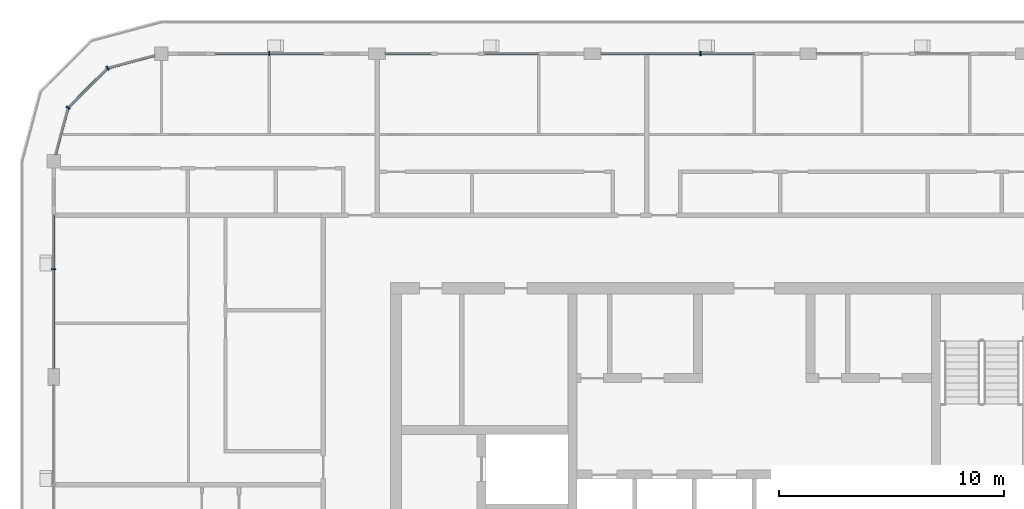
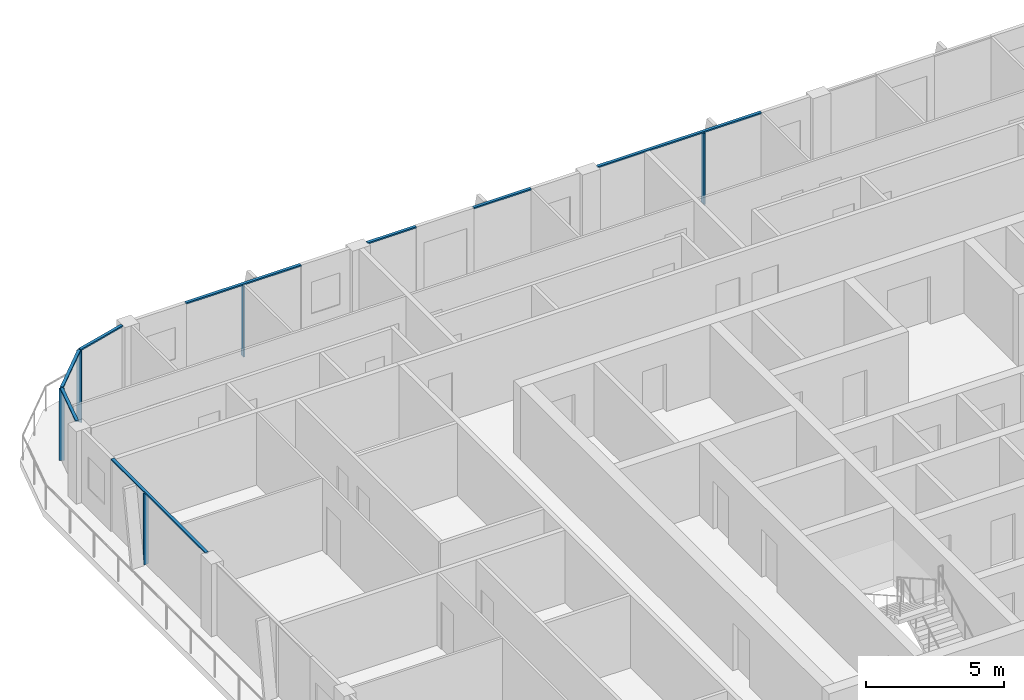
# One storey, part 5 of 22: 13 members, 5 elements without a shape of their own.
"""IFC4 building model written with IfcOpenShell, lengths in metres."""

from ifc_helpers import new_model, si_unit, direction, frame, origin, origin_2d, place, context, subcontext, project, spatial, rectangle, extrude, material, layer, layer_set, material_profile, profile_set, type_object, element, aggregate, save


model = new_model("IFC4")

# Units and contexts
model_context = context("Model", 3, precision=1e-05, world=origin(), true_north=direction((0.0, 1.0)))
body_context = subcontext(model_context, "Body", "Model", "MODEL_VIEW")
ifc_project = project(units=[si_unit("LENGTHUNIT", "METRE"), si_unit("AREAUNIT", "SQUARE_METRE"), si_unit("VOLUMEUNIT", "CUBIC_METRE"), si_unit("PLANEANGLEUNIT", "RADIAN"), si_unit("MASSUNIT", "GRAM", prefix="KILO")], contexts=[model_context])

# Site, building, storey
site_placement = place(None, origin())
site = spatial("IfcSite", under=ifc_project, at=site_placement, CompositionType="ELEMENT")
building_placement = place(site_placement, origin())
building = spatial("IfcBuilding", under=site, at=building_placement, Name="Madar Terraces", CompositionType="ELEMENT")
storey_placement = place(building_placement, frame((0.0, 0.0, 279.10009765625)))
storey = spatial("IfcBuildingStorey", under=building, at=storey_placement, Name="L73", CompositionType="ELEMENT", Elevation=279.10009765625)

# Curtain wall, member
ifc_material_1 = material(Name="Glass, ceramic frit dark grey, with black aluminium frame", Category="aluminium")
ifc_layer = layer(ifc_material_1, 0.199951171875)
ifc_layer_set = layer_set([ifc_layer], Name="Facade curtain wall, fritted glass")
curtain_wall_type = type_object("IfcCurtainWallType", Name="Facade curtain wall, fritted glass", PredefinedType="NOTDEFINED", material=ifc_layer_set)
curtain_wall_1_placement = place(storey_placement, origin())
curtain_wall_1 = element("IfcCurtainWall", 1, at=curtain_wall_1_placement, inside=storey, type_object=curtain_wall_type, Name="Outer skin curtain wall north bay 3", PredefinedType="NOTDEFINED")
ifc_material_2 = material(Name="Aluminium, black anodised", Category="aluminium")
ifc_material_profile_1 = material_profile(ifc_material_2, rectangle(XDim=0.199951171875, YDim=0.06005859375, at=origin_2d()), Name="Facade mullion 60x200")
ifc_profile_set_1 = profile_set([ifc_material_profile_1], Name="Aluminium, black anodised")
member_type_1 = type_object("IfcMemberType", Name="Facade mullion 60x200", PredefinedType="MULLION", material=ifc_profile_set_1)
member_1_placement = place(storey_placement, frame((28.800048828125, 48.0, 0.0), z_axis=(0.0, 0.0, 1.0), x_axis=(0.0, -1.0, 0.0)))
member_1 = element("IfcMember", 2, at=member_1_placement, type_object=member_type_1, Name="Mullion 1", PredefinedType="MULLION", context=body_context, shape_type="SweptSolid", body=[
    extrude(rectangle(XDim=0.199951171875, YDim=0.06005859375, at=origin_2d()), origin(), (0.0, 0.0, 1.0), 3.139892578125),
])

curtain_wall_2_placement = place(storey_placement, origin())
curtain_wall_2 = element("IfcCurtainWall", 3, at=curtain_wall_2_placement, inside=storey, type_object=curtain_wall_type, Name="Outer skin curtain wall north bay 5", PredefinedType="NOTDEFINED")
member_2_placement = place(storey_placement, frame((9.60009765625, 48.0, 0.0), z_axis=(0.0, 0.0, 1.0), x_axis=(0.0, -1.0, 0.0)))
member_2 = element("IfcMember", 4, at=member_2_placement, type_object=member_type_1, Name="Mullion 1", PredefinedType="MULLION", context=body_context, shape_type="SweptSolid", body=[
    extrude(rectangle(XDim=0.199951171875, YDim=0.06005859375, at=origin_2d()), origin(), (0.0, 0.0, 1.0), 3.139892578125),
])

curtain_wall_3_placement = place(storey_placement, origin())
curtain_wall_3 = element("IfcCurtainWall", 5, at=curtain_wall_3_placement, inside=storey, type_object=curtain_wall_type, Name="Outer skin curtain wall west bay 1", PredefinedType="NOTDEFINED")
member_3_placement = place(storey_placement, frame((0.0, 38.39990234375, 0.0), z_axis=(0.0, 0.0, 1.0), x_axis=(1.0, 0.0, 0.0)))
member_3 = element("IfcMember", 6, at=member_3_placement, type_object=member_type_1, Name="Mullion 1", PredefinedType="MULLION", context=body_context, shape_type="SweptSolid", body=[
    extrude(rectangle(XDim=0.199951171875, YDim=0.06005859375, at=origin_2d()), origin(), (0.0, 0.0, 1.0), 3.139892578125),
])

# Curtain wall, members
curtain_wall_4_placement = place(storey_placement, origin())
curtain_wall_4 = element("IfcCurtainWall", 7, at=curtain_wall_4_placement, inside=storey, type_object=curtain_wall_type, Name="Outer skin curtain wall north-west corner", PredefinedType="NOTDEFINED")
member_4_placement = place(storey_placement, frame((2.39990234375, 47.35693359375, 0.0), z_axis=(0.0, 0.0, 1.0), x_axis=(0.499999989586, -0.866025409797, 0.0)))
member_4 = element("IfcMember", 8, at=member_4_placement, type_object=member_type_1, Name="Mullion 1", PredefinedType="MULLION", context=body_context, shape_type="SweptSolid", body=[
    extrude(rectangle(XDim=0.199951171875, YDim=0.06005859375, at=origin_2d()), origin(), (0.0, 0.0, 1.0), 3.139892578125),
])
member_5_placement = place(storey_placement, frame((0.64306640625, 45.60009765625, 0.0), z_axis=(0.0, 0.0, 1.0), x_axis=(0.866025409797, -0.499999989586, 0.0)))
member_5 = element("IfcMember", 9, at=member_5_placement, type_object=member_type_1, Name="Mullion 2", PredefinedType="MULLION", context=body_context, shape_type="SweptSolid", body=[
    extrude(rectangle(XDim=0.199951171875, YDim=0.06005859375, at=origin_2d()), origin(), (0.0, 0.0, 1.0), 3.139892578125),
])

# Member
ifc_material_3 = material(Name="Aluminium, black anodised", Category="aluminium")
ifc_material_profile_2 = material_profile(ifc_material_3, rectangle(XDim=0.1201171875, YDim=0.06005859375, at=origin_2d()), Name="Facade transom 60x120")
ifc_profile_set_2 = profile_set([ifc_material_profile_2], Name="Aluminium, black anodised")
member_type_2 = type_object("IfcMemberType", Name="Facade transom 60x120", PredefinedType="USERDEFINED", material=ifc_profile_set_2)
member_6_placement = place(storey_placement, frame((31.199951171875, 48.0, 3.169921875), z_axis=(-1.0, 0.0, 0.0), x_axis=(0.0, -1.0, 0.0)))
member_6 = element("IfcMember", 10, at=member_6_placement, type_object=member_type_2, Name="Transom 1", ObjectType="TRANSOM", PredefinedType="USERDEFINED", context=body_context, shape_type="SweptSolid", body=[
    extrude(rectangle(XDim=0.1201171875, YDim=0.06005859375, at=origin_2d()), origin(), (0.0, 0.0, 1.0), 6.824951171875),
])

aggregate(curtain_wall_1, [member_1, member_6])

# Curtain wall, members
curtain_wall_5_placement = place(storey_placement, origin())
curtain_wall_5 = element("IfcCurtainWall", 11, at=curtain_wall_5_placement, inside=storey, type_object=curtain_wall_type, Name="Outer skin curtain wall north bay 4", PredefinedType="NOTDEFINED")
member_7_placement = place(storey_placement, frame((21.60009765625, 48.0, 3.169921875), z_axis=(-1.0, 0.0, 0.0), x_axis=(0.0, -1.0, 0.0)))
member_7 = element("IfcMember", 12, at=member_7_placement, type_object=member_type_2, Name="Transom 1", ObjectType="TRANSOM", PredefinedType="USERDEFINED", context=body_context, shape_type="SweptSolid", body=[
    extrude(rectangle(XDim=0.1201171875, YDim=0.06005859375, at=origin_2d()), origin(), (0.0, 0.0, 1.0), 2.400146484375),
])
member_8_placement = place(storey_placement, frame((16.800048828125, 48.0, 3.169921875), z_axis=(-1.0, 0.0, 0.0), x_axis=(0.0, -1.0, 0.0)))
member_8 = element("IfcMember", 13, at=member_8_placement, type_object=member_type_2, Name="Transom 2", ObjectType="TRANSOM", PredefinedType="USERDEFINED", context=body_context, shape_type="SweptSolid", body=[
    extrude(rectangle(XDim=0.1201171875, YDim=0.06005859375, at=origin_2d()), origin(), (0.0, 0.0, 1.0), 2.025146484375),
])
aggregate(curtain_wall_5, [member_7, member_8])

# Member
member_9_placement = place(storey_placement, frame((12.0, 48.0, 3.169921875), z_axis=(-1.0, 0.0, 0.0), x_axis=(0.0, -1.0, 0.0)))
member_9 = element("IfcMember", 14, at=member_9_placement, type_object=member_type_2, Name="Transom 1", ObjectType="TRANSOM", PredefinedType="USERDEFINED", context=body_context, shape_type="SweptSolid", body=[
    extrude(rectangle(XDim=0.1201171875, YDim=0.06005859375, at=origin_2d()), origin(), (0.0, 0.0, 1.0), 4.800048828125),
])

aggregate(curtain_wall_2, [member_2, member_9])

member_10_placement = place(storey_placement, frame((0.0, 40.800048828125, 3.169921875), z_axis=(0.0, -1.0, 0.0), x_axis=(1.0, 0.0, 0.0)))
member_10 = element("IfcMember", 15, at=member_10_placement, type_object=member_type_2, Name="Transom 1", ObjectType="TRANSOM", PredefinedType="USERDEFINED", context=body_context, shape_type="SweptSolid", body=[
    extrude(rectangle(XDim=0.1201171875, YDim=0.06005859375, at=origin_2d()), origin(), (0.0, 0.0, 1.0), 6.824951171875),
])

aggregate(curtain_wall_3, [member_3, member_10])

member_11_placement = place(storey_placement, frame((4.5, 47.919677734375, 3.169921875), z_axis=(-0.965926196336, -0.258817664066, 0.0), x_axis=(0.258817664066, -0.965926196336, 0.0)))
member_11 = element("IfcMember", 16, at=member_11_placement, type_object=member_type_2, Name="Transom 1", ObjectType="TRANSOM", PredefinedType="USERDEFINED", context=body_context, shape_type="SweptSolid", body=[
    extrude(rectangle(XDim=0.1201171875, YDim=0.06005859375, at=origin_2d()), origin(), (0.0, 0.0, 1.0), 2.14404296875),
])

member_12_placement = place(storey_placement, frame((2.37890625, 47.335693359375, 3.169921875), z_axis=(-0.707106781187, -0.707106781187, 0.0), x_axis=(0.707106781187, -0.707106781187, 0.0)))
member_12 = element("IfcMember", 17, at=member_12_placement, type_object=member_type_2, Name="Transom 2", ObjectType="TRANSOM", PredefinedType="USERDEFINED", context=body_context, shape_type="SweptSolid", body=[
    extrude(rectangle(XDim=0.1201171875, YDim=0.06005859375, at=origin_2d()), origin(), (0.0, 0.0, 1.0), 2.4248046875),
])

member_13_placement = place(storey_placement, frame((0.63525390625, 45.571044921875, 3.169921875), z_axis=(-0.258817664066, -0.965926196336, 0.0), x_axis=(0.965926196336, -0.258817664066, 0.0)))
member_13 = element("IfcMember", 18, at=member_13_placement, type_object=member_type_2, Name="Transom 3", ObjectType="TRANSOM", PredefinedType="USERDEFINED", context=body_context, shape_type="SweptSolid", body=[
    extrude(rectangle(XDim=0.1201171875, YDim=0.06005859375, at=origin_2d()), origin(), (0.0, 0.0, 1.0), 2.14404296875),
])

aggregate(curtain_wall_4, [member_4, member_11, member_5, member_12, member_13])

save(model, "model.ifc")
